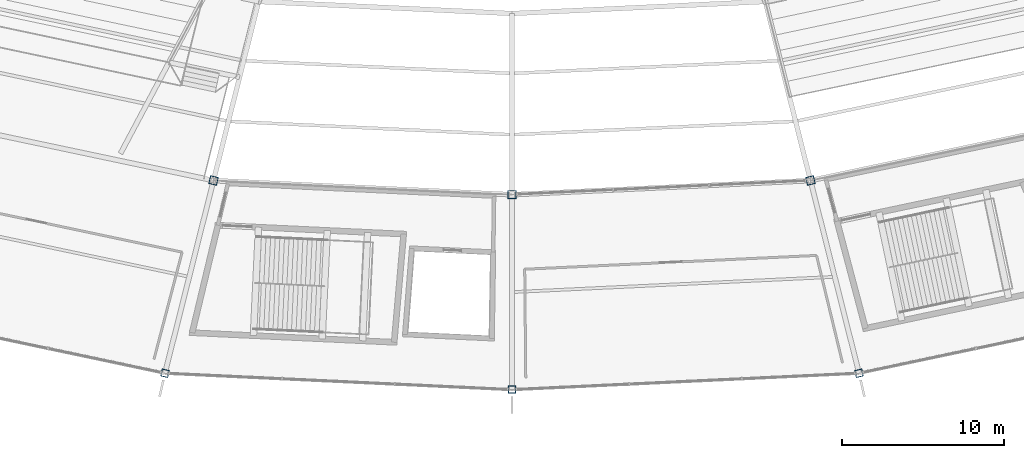
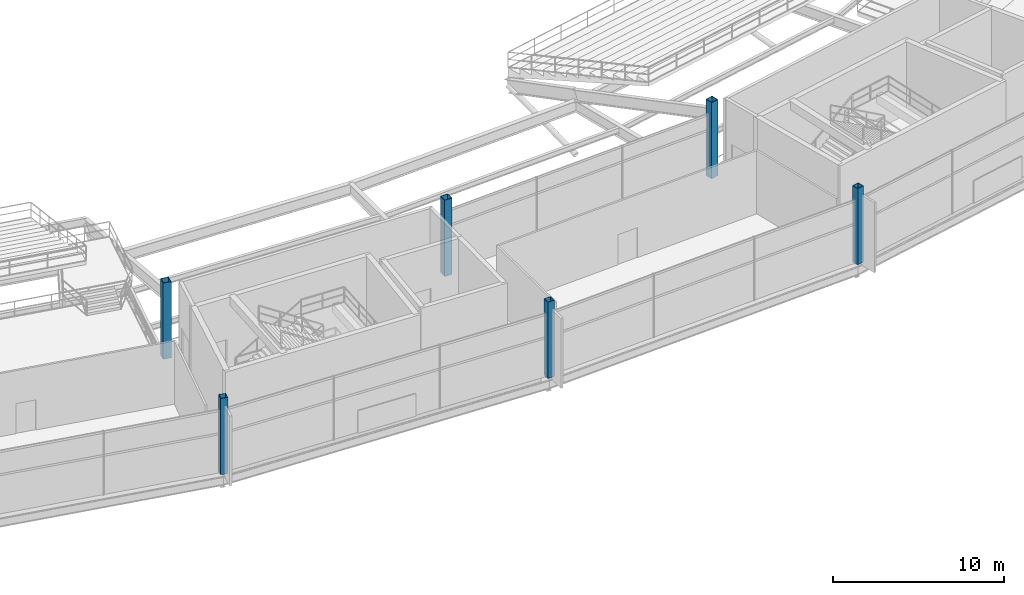
# One storey, part 3 of 186: 6 columns.
"""IFC4 building model written with IfcOpenShell, lengths in metres."""

from ifc_helpers import new_model, si_unit, direction, frame, origin, origin_2d, place, context, subcontext, project, spatial, hollow_rectangle, extrude, material, material_profile, profile_set, type_object, element, save


model = new_model("IFC4")

# Units and contexts
model_context = context("Model", 3, precision=1e-05, world=origin(), true_north=direction((0.0, 1.0)))
body_context = subcontext(model_context, "Body", "Model", "MODEL_VIEW")
ifc_project = project(units=[si_unit("LENGTHUNIT", "METRE"), si_unit("AREAUNIT", "SQUARE_METRE"), si_unit("VOLUMEUNIT", "CUBIC_METRE"), si_unit("PLANEANGLEUNIT", "RADIAN"), si_unit("MASSUNIT", "GRAM", prefix="KILO")], contexts=[model_context])

# Site, building, storey
site_placement = place(None, origin())
site = spatial("IfcSite", under=ifc_project, at=site_placement, CompositionType="ELEMENT")
building_placement = place(site_placement, origin())
building = spatial("IfcBuilding", under=site, at=building_placement, Name="Kazemori Nagisa Stadium", CompositionType="ELEMENT")
storey_placement = place(building_placement, frame((0.0, 0.0, 20.39990234375)))
storey = spatial("IfcBuildingStorey", under=building, at=storey_placement, Name="L04", CompositionType="ELEMENT", Elevation=20.39990234375)

# Columns
ifc_material = material(Name="Steel STKR490", Category="steel")
ifc_material_profile_1 = material_profile(ifc_material, hollow_rectangle(XDim=0.449951171875, YDim=0.449951171875, WallThickness=0.02197265625, at=origin_2d()), Name="SHS-450x450x22")
ifc_profile_set_1 = profile_set([ifc_material_profile_1], Name="Steel STKR490")
column_type_1 = type_object("IfcColumnType", Name="Column_C-ST450", PredefinedType="COLUMN", material=ifc_profile_set_1)
for number, where, z_axis, x_axis, name in (
    (1, (101.572265625, 17.01318359375, 0.0), (0.0, 0.0, 1.0), (-0.222520933954, -0.974927912182, 0.0), "Column C-ST450 L04 R3-21"),
    (2, (123.0, 16.0, 0.0), (0.0, 0.0, 1.0), (0.0, -1.0, 0.0), "Column C-ST450 L04 R3-22"),
    (3, (144.427734375, 17.01318359375, 0.0), (0.0, 0.0, 1.0), (0.222520933954, -0.974927912182, 0.0), "Column C-ST450 L04 R3-23"),
):
    element("IfcColumn", number, at=place(storey_placement, frame(where, z_axis=z_axis, x_axis=x_axis)), inside=storey, type_object=column_type_1, Name=name, PredefinedType="COLUMN", context=body_context, shape_type="SweptSolid", body=[
        extrude(hollow_rectangle(XDim=0.449951171875, YDim=0.449951171875, WallThickness=0.02197265625, at=origin_2d()), origin(), (0.0, 0.0, 1.0), 5.440185546875),
    ])
ifc_material_profile_2 = material_profile(ifc_material, hollow_rectangle(XDim=0.5, YDim=0.5, WallThickness=0.02197265625, at=origin_2d()), Name="SHS-500x500x22")
ifc_profile_set_2 = profile_set([ifc_material_profile_2], Name="Steel STKR490")
column_type_2 = type_object("IfcColumnType", Name="Column_C-ST500", PredefinedType="COLUMN", material=ifc_profile_set_2)
for number, where, z_axis, x_axis, name in (
    (4, (104.572265625, 28.911376953125, 0.0), (0.0, 0.0, 1.0), (-0.222520933954, -0.974927912182, 0.0), "Column C-ST500 L04 R2-21"),
    (5, (123.0, 28.0400390625, 0.0), (0.0, 0.0, 1.0), (0.0, -1.0, 0.0), "Column C-ST500 L04 R2-22"),
    (6, (141.427734375, 28.911376953125, 0.0), (0.0, 0.0, 1.0), (0.222520933954, -0.974927912182, 0.0), "Column C-ST500 L04 R2-23"),
):
    element("IfcColumn", number, at=place(storey_placement, frame(where, z_axis=z_axis, x_axis=x_axis)), inside=storey, type_object=column_type_2, Name=name, PredefinedType="COLUMN", context=body_context, shape_type="SweptSolid", body=[
        extrude(hollow_rectangle(XDim=0.5, YDim=0.5, WallThickness=0.02197265625, at=origin_2d()), origin(), (0.0, 0.0, 1.0), 5.440185546875),
    ])

save(model, "model.ifc")
